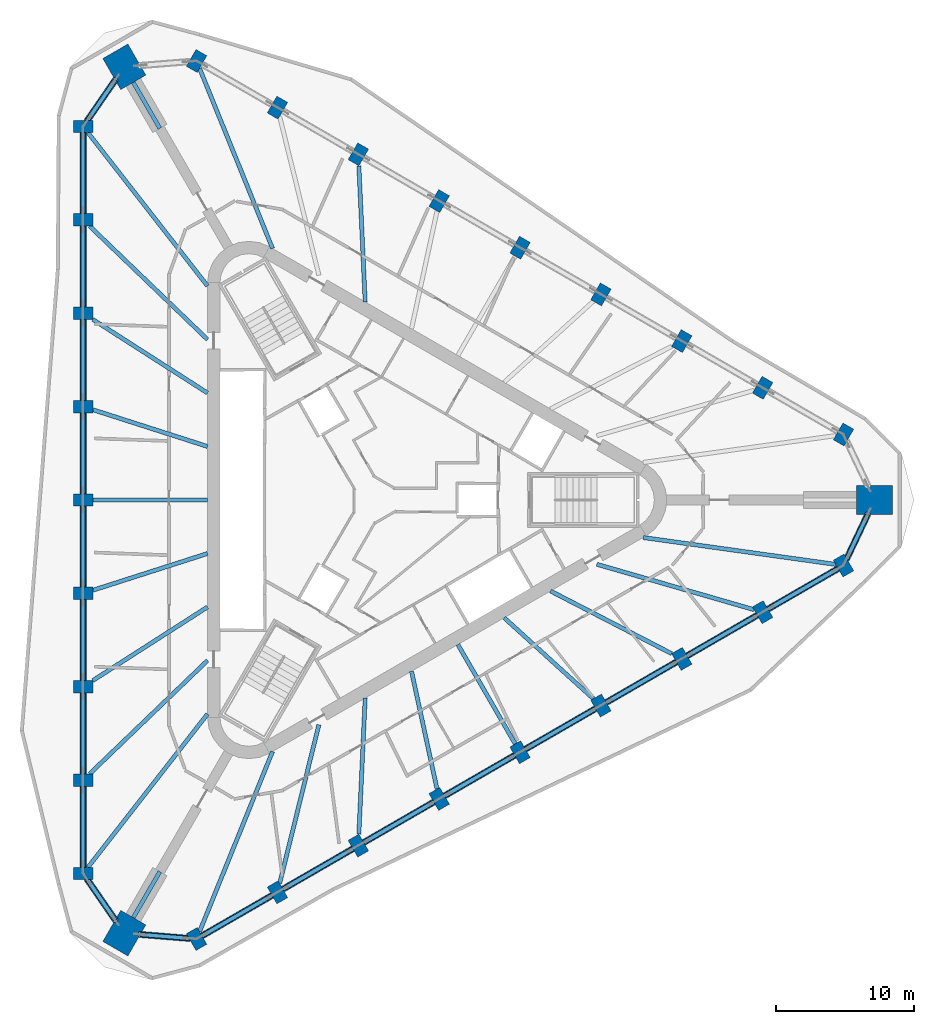
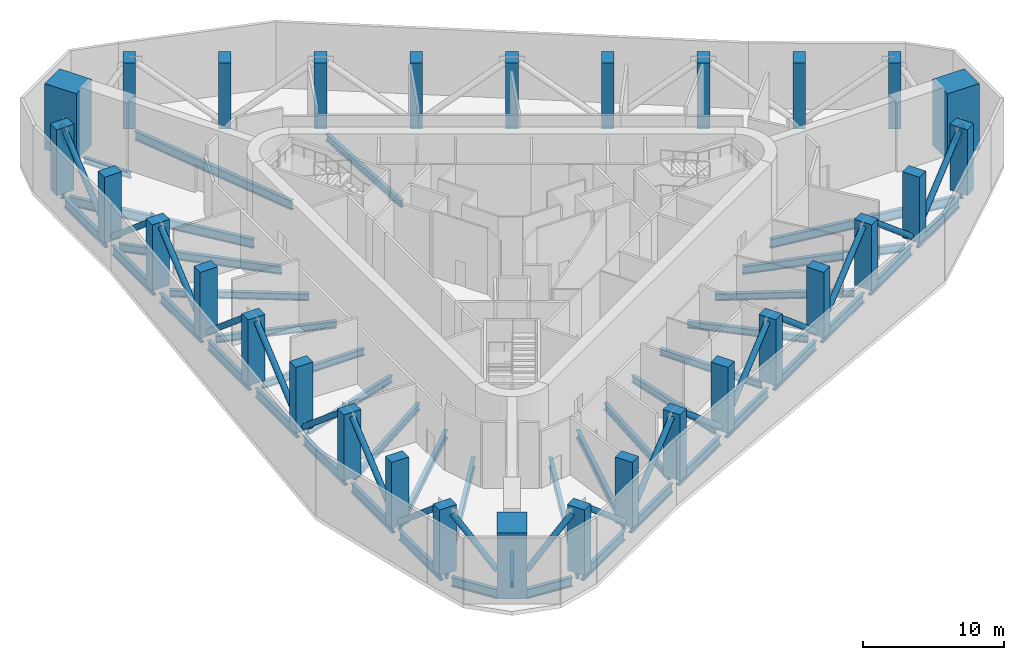
# One storey, part 1 of 12: 42 beams, 30 columns, 20 members.
"""IFC4 building model written with IfcOpenShell, lengths in metres."""

from ifc_helpers import new_model, si_unit, direction, frame, origin, origin_2d, place, context, subcontext, project, spatial, rectangle, hollow_circle, i_section, extrude, material, material_profile, profile_set, type_object, element, save


model = new_model("IFC4")

# Units and contexts
model_context = context("Model", 3, precision=1e-05, world=origin(), true_north=direction((0.0, 1.0)))
body_context = subcontext(model_context, "Body", "Model", "MODEL_VIEW")
ifc_project = project(units=[si_unit("LENGTHUNIT", "METRE"), si_unit("AREAUNIT", "SQUARE_METRE"), si_unit("VOLUMEUNIT", "CUBIC_METRE"), si_unit("PLANEANGLEUNIT", "RADIAN"), si_unit("MASSUNIT", "GRAM", prefix="KILO")], contexts=[model_context])

# Site, building, storey
site_placement = place(None, origin())
site = spatial("IfcSite", under=ifc_project, at=site_placement, CompositionType="ELEMENT")
building_placement = place(site_placement, origin())
building = spatial("IfcBuilding", under=site, at=building_placement, Name="Tanit Gate Tower", CompositionType="ELEMENT")
storey_placement = place(building_placement, frame((0.0, 0.0, 292.699951171875)))
storey = spatial("IfcBuildingStorey", under=building, at=storey_placement, Name="L65", CompositionType="ELEMENT", Elevation=292.699951171875)

# Columns
ifc_material_1 = material(Name="Concrete C60/75", Category="concrete")
ifc_material_profile_1 = material_profile(ifc_material_1, rectangle(XDim=2.60009765625, YDim=2.10009765625, at=origin_2d()), Name="RC 2600x2100")
ifc_profile_set_1 = profile_set([ifc_material_profile_1], Name="Concrete C60/75")
column_type_1 = type_object("IfcColumnType", Name="MEGA COLUMN 2600x2100 C60/75", PredefinedType="COLUMN", material=ifc_profile_set_1)
for number, where, z_axis, x_axis, name in (
    (1, (36.270263671875, 0.0, 0.0), (0.0, 0.0, 1.0), (1.0, 0.0, 0.0), "MEGA COLUMN"),
    (2, (-18.135009765625, 31.410888671875, 0.0), (0.0, 0.0, 1.0), (-0.5, 0.866025403784, 0.0), "MEGA COLUMN"),
    (3, (-18.135009765625, -31.410888671875, 0.0), (0.0, 0.0, 1.0), (-0.5, -0.866025403784, 0.0), "MEGA COLUMN"),
):
    element("IfcColumn", number, at=place(storey_placement, frame(where, z_axis=z_axis, x_axis=x_axis)), inside=storey, type_object=column_type_1, Name=name, PredefinedType="COLUMN", context=body_context, shape_type="SweptSolid", body=[
        extrude(rectangle(XDim=2.60009765625, YDim=2.10009765625, at=origin_2d()), origin(), (0.0, 0.0, 1.0), 5.699951171875),
    ])
ifc_material_2 = material(Name="Concrete C50/60", Category="concrete")
ifc_material_profile_2 = material_profile(ifc_material_2, rectangle(XDim=1.39990234375, YDim=0.89990234375, at=origin_2d()), Name="RC 1400x900")
ifc_profile_set_2 = profile_set([ifc_material_profile_2], Name="Concrete C50/60")
column_type_2 = type_object("IfcColumnType", Name="PERIMETER COLUMN 1400x900 C50/60", PredefinedType="COLUMN", material=ifc_profile_set_2)
for number, where, z_axis, x_axis, name in (
    (4, (-21.121337890625, 27.083984375, 0.0), (0.0, 0.0, 1.0), (-1.0, 0.0, 0.0), "PERIMETER COLUMN"),
    (5, (-21.121337890625, 20.31298828125, 0.0), (0.0, 0.0, 1.0), (-1.0, 0.0, 0.0), "PERIMETER COLUMN"),
    (6, (-21.121337890625, 13.5419921875, 0.0), (0.0, 0.0, 1.0), (-1.0, 0.0, 0.0), "PERIMETER COLUMN"),
    (7, (-21.121337890625, 6.77099609375, 0.0), (0.0, 0.0, 1.0), (-1.0, 0.0, 0.0), "PERIMETER COLUMN"),
    (8, (-21.121337890625, 0.0, 0.0), (0.0, 0.0, 1.0), (-1.0, 0.0, 0.0), "PERIMETER COLUMN"),
    (9, (-21.121337890625, -6.77099609375, 0.0), (0.0, 0.0, 1.0), (-1.0, 0.0, 0.0), "PERIMETER COLUMN"),
    (10, (-21.121337890625, -13.5419921875, 0.0), (0.0, 0.0, 1.0), (-1.0, 0.0, 0.0), "PERIMETER COLUMN"),
    (11, (-21.121337890625, -20.31298828125, 0.0), (0.0, 0.0, 1.0), (-1.0, 0.0, 0.0), "PERIMETER COLUMN"),
    (12, (-21.121337890625, -27.083984375, 0.0), (0.0, 0.0, 1.0), (-1.0, 0.0, 0.0), "PERIMETER COLUMN"),
    (13, (34.01611328125, 4.749755859375, 0.0), (0.0, 0.0, 1.0), (0.5, 0.866025403784, 0.0), "PERIMETER COLUMN"),
    (14, (28.152099609375, 8.13525390625, 0.0), (0.0, 0.0, 1.0), (0.5, 0.866025403784, 0.0), "PERIMETER COLUMN"),
    (15, (22.288330078125, 11.520751953125, 0.0), (0.0, 0.0, 1.0), (0.5, 0.866025403784, 0.0), "PERIMETER COLUMN"),
    (16, (16.424560546875, 14.90625, 0.0), (0.0, 0.0, 1.0), (0.5, 0.866025403784, 0.0), "PERIMETER COLUMN"),
    (17, (10.560791015625, 18.291748046875, 0.0), (0.0, 0.0, 1.0), (0.5, 0.866025403784, 0.0), "PERIMETER COLUMN"),
    (18, (4.697021484375, 21.67724609375, 0.0), (0.0, 0.0, 1.0), (0.5, 0.866025403784, 0.0), "PERIMETER COLUMN"),
    (19, (-1.1669921875, 25.062744140625, 0.0), (0.0, 0.0, 1.0), (0.5, 0.866025403784, 0.0), "PERIMETER COLUMN"),
    (20, (-7.03076171875, 28.4482421875, 0.0), (0.0, 0.0, 1.0), (0.5, 0.866025403784, 0.0), "PERIMETER COLUMN"),
    (21, (-12.894775390625, 31.83349609375, 0.0), (0.0, 0.0, 1.0), (0.5, 0.866025403784, 0.0), "PERIMETER COLUMN"),
    (22, (-12.894775390625, -31.83349609375, 0.0), (0.0, 0.0, 1.0), (0.5, -0.866025403784, 0.0), "PERIMETER COLUMN"),
    (23, (-7.03076171875, -28.4482421875, 0.0), (0.0, 0.0, 1.0), (0.5, -0.866025403784, 0.0), "PERIMETER COLUMN"),
    (24, (-1.1669921875, -25.062744140625, 0.0), (0.0, 0.0, 1.0), (0.5, -0.866025403784, 0.0), "PERIMETER COLUMN"),
    (25, (4.697021484375, -21.67724609375, 0.0), (0.0, 0.0, 1.0), (0.5, -0.866025403784, 0.0), "PERIMETER COLUMN"),
    (26, (10.560791015625, -18.291748046875, 0.0), (0.0, 0.0, 1.0), (0.5, -0.866025403784, 0.0), "PERIMETER COLUMN"),
    (27, (16.424560546875, -14.90625, 0.0), (0.0, 0.0, 1.0), (0.5, -0.866025403784, 0.0), "PERIMETER COLUMN"),
    (28, (22.288330078125, -11.520751953125, 0.0), (0.0, 0.0, 1.0), (0.5, -0.866025403784, 0.0), "PERIMETER COLUMN"),
    (29, (28.152099609375, -8.13525390625, 0.0), (0.0, 0.0, 1.0), (0.5, -0.866025403784, 0.0), "PERIMETER COLUMN"),
    (30, (34.01611328125, -4.749755859375, 0.0), (0.0, 0.0, 1.0), (0.5, -0.866025403784, 0.0), "PERIMETER COLUMN"),
):
    element("IfcColumn", number, at=place(storey_placement, frame(where, z_axis=z_axis, x_axis=x_axis)), inside=storey, type_object=column_type_2, Name=name, PredefinedType="COLUMN", context=body_context, shape_type="SweptSolid", body=[
        extrude(rectangle(XDim=1.39990234375, YDim=0.89990234375, at=origin_2d()), origin(), (0.0, 0.0, 1.0), 5.699951171875),
    ])

# Beams
ifc_material_3 = material(Name="Steel S460", Category="steel")
ifc_material_profile_3 = material_profile(ifc_material_3, i_section(OverallWidth=0.302978515625, OverallDepth=0.81396484375, WebThickness=0.02099609375, FlangeThickness=0.0400390625, FilletRadius=0.030029296875, at=origin_2d()), Name="HEM 800")
ifc_profile_set_3 = profile_set([ifc_material_profile_3], Name="Steel S460")
beam_type_1 = type_object("IfcBeamType", Name="BELT TRUSS CHORD HEM 800 S460", PredefinedType="BEAM", material=ifc_profile_set_3)
beam_1_placement = place(storey_placement, frame((-21.121337890625, -7.220947265625, -0.7568359375), z_axis=(0.0, -1.0, 0.0), x_axis=(1.0, 0.0, 0.0)))
element("IfcBeam", 31, at=beam_1_placement, inside=storey, type_object=beam_type_1, Name="BELT TRUSS CHORD", PredefinedType="BEAM", context=body_context, shape_type="SweptSolid", body=[
    extrude(i_section(OverallWidth=0.302978515625, OverallDepth=0.81396484375, WebThickness=0.02099609375, FlangeThickness=0.0400390625, FilletRadius=0.030029296875, at=origin_2d()), origin(), (0.0, 0.0, 1.0), 5.87109375),
])
for number, where, z_axis, x_axis, name in (
    (32, (-21.121337890625, -13.991943359375, -0.7568359375), (0.0, -1.0, 0.0), (1.0, 0.0, 0.0), "BELT TRUSS CHORD"),
    (33, (-21.121337890625, -20.762939453125, -0.7568359375), (0.0, -1.0, 0.0), (1.0, 0.0, 0.0), "BELT TRUSS CHORD"),
):
    element("IfcBeam", number, at=place(storey_placement, frame(where, z_axis=z_axis, x_axis=x_axis)), inside=storey, type_object=beam_type_1, Name=name, PredefinedType="BEAM", context=body_context, shape_type="SweptSolid", body=[
        extrude(i_section(OverallWidth=0.302978515625, OverallDepth=0.81396484375, WebThickness=0.02099609375, FlangeThickness=0.0400390625, FilletRadius=0.030029296875, at=origin_2d()), origin(), (0.0, 0.0, 1.0), 5.870849609375),
    ])
for number, where, z_axis, x_axis, name in (
    (34, (-20.810791015625, -27.533935546875, -0.7568359375), (0.567982145558, -0.823040875247, 0.0), (0.823040875247, 0.567982145558, 0.0), "BELT TRUSS CHORD"),
    (35, (-16.9765625, -31.50439453125, -0.7568359375), (0.996765644219, -0.080363241006, 0.0), (0.080363241006, 0.996765644219, 0.0), "BELT TRUSS CHORD"),
):
    element("IfcBeam", number, at=place(storey_placement, frame(where, z_axis=z_axis, x_axis=x_axis)), inside=storey, type_object=beam_type_1, Name=name, PredefinedType="BEAM", context=body_context, shape_type="SweptSolid", body=[
        extrude(i_section(OverallWidth=0.302978515625, OverallDepth=0.81396484375, WebThickness=0.02099609375, FlangeThickness=0.0400390625, FilletRadius=0.030029296875, at=origin_2d()), origin(), (0.0, 0.0, 1.0), 3.54833984375),
    ])
for number, where, z_axis, x_axis, name in (
    (36, (-12.5048828125, -31.608642578125, -0.7568359375), (0.866023543838, 0.500003221507, 0.0), (-0.500003221507, 0.866023543838, 0.0), "BELT TRUSS CHORD"),
    (37, (-6.64111328125, -28.22314453125, -0.7568359375), (0.866023543838, 0.500003221507, 0.0), (-0.500003221507, 0.866023543838, 0.0), "BELT TRUSS CHORD"),
    (38, (-0.77734375, -24.837646484375, -0.7568359375), (0.866023543838, 0.500003221507, 0.0), (-0.500003221507, 0.866023543838, 0.0), "BELT TRUSS CHORD"),
):
    element("IfcBeam", number, at=place(storey_placement, frame(where, z_axis=z_axis, x_axis=x_axis)), inside=storey, type_object=beam_type_1, Name=name, PredefinedType="BEAM", context=body_context, shape_type="SweptSolid", body=[
        extrude(i_section(OverallWidth=0.302978515625, OverallDepth=0.81396484375, WebThickness=0.02099609375, FlangeThickness=0.0400390625, FilletRadius=0.030029296875, at=origin_2d()), origin(), (0.0, 0.0, 1.0), 5.87109375),
    ])
beam_2_placement = place(storey_placement, frame((5.086669921875, -21.4521484375, -0.7568359375), z_axis=(0.866013147201, 0.500021228425, 0.0), x_axis=(-0.500021228425, 0.866013147201, 0.0)))
element("IfcBeam", 39, at=beam_2_placement, inside=storey, type_object=beam_type_1, Name="BELT TRUSS CHORD", PredefinedType="BEAM", context=body_context, shape_type="SweptSolid", body=[
    extrude(i_section(OverallWidth=0.302978515625, OverallDepth=0.81396484375, WebThickness=0.02099609375, FlangeThickness=0.0400390625, FilletRadius=0.030029296875, at=origin_2d()), origin(), (0.0, 0.0, 1.0), 5.870849609375),
])
for number, where, z_axis, x_axis, name in (
    (40, (10.950439453125, -18.066650390625, -0.7568359375), (0.866023543838, 0.500003221507, 0.0), (-0.500003221507, 0.866023543838, 0.0), "BELT TRUSS CHORD"),
    (41, (16.814208984375, -14.68115234375, -0.7568359375), (0.866023543838, 0.500003221507, 0.0), (-0.500003221507, 0.866023543838, 0.0), "BELT TRUSS CHORD"),
    (42, (22.677978515625, -11.295654296875, -0.7568359375), (0.866023543838, 0.500003221507, 0.0), (-0.500003221507, 0.866023543838, 0.0), "BELT TRUSS CHORD"),
    (43, (28.5419921875, -7.91015625, -0.7568359375), (0.866023543838, 0.500003221507, 0.0), (-0.500003221507, 0.866023543838, 0.0), "BELT TRUSS CHORD"),
):
    element("IfcBeam", number, at=place(storey_placement, frame(where, z_axis=z_axis, x_axis=x_axis)), inside=storey, type_object=beam_type_1, Name=name, PredefinedType="BEAM", context=body_context, shape_type="SweptSolid", body=[
        extrude(i_section(OverallWidth=0.302978515625, OverallDepth=0.81396484375, WebThickness=0.02099609375, FlangeThickness=0.0400390625, FilletRadius=0.030029296875, at=origin_2d()), origin(), (0.0, 0.0, 1.0), 5.87109375),
    ])
for number, where, z_axis, x_axis, name in (
    (44, (34.25048828125, -4.255615234375, -0.7568359375), (0.428790138655, 0.903404127172, 0.0), (-0.903404127172, 0.428790138655, 0.0), "BELT TRUSS CHORD"),
    (45, (-18.79541015625, 30.454345703125, -0.7568359375), (-0.567982145558, -0.823040875247, 0.0), (0.823040875247, -0.567982145558, 0.0), "BELT TRUSS CHORD"),
):
    element("IfcBeam", number, at=place(storey_placement, frame(where, z_axis=z_axis, x_axis=x_axis)), inside=storey, type_object=beam_type_1, Name=name, PredefinedType="BEAM", context=body_context, shape_type="SweptSolid", body=[
        extrude(i_section(OverallWidth=0.302978515625, OverallDepth=0.81396484375, WebThickness=0.02099609375, FlangeThickness=0.0400390625, FilletRadius=0.030029296875, at=origin_2d()), origin(), (0.0, 0.0, 1.0), 3.54833984375),
    ])
for number, where, z_axis, x_axis, name in (
    (46, (-21.121337890625, 26.6337890625, -0.7568359375), (0.0, -1.0, 0.0), (1.0, 0.0, 0.0), "BELT TRUSS CHORD"),
    (47, (-21.121337890625, 19.86279296875, -0.7568359375), (0.0, -1.0, 0.0), (1.0, 0.0, 0.0), "BELT TRUSS CHORD"),
):
    element("IfcBeam", number, at=place(storey_placement, frame(where, z_axis=z_axis, x_axis=x_axis)), inside=storey, type_object=beam_type_1, Name=name, PredefinedType="BEAM", context=body_context, shape_type="SweptSolid", body=[
        extrude(i_section(OverallWidth=0.302978515625, OverallDepth=0.81396484375, WebThickness=0.02099609375, FlangeThickness=0.0400390625, FilletRadius=0.030029296875, at=origin_2d()), origin(), (0.0, 0.0, 1.0), 5.870849609375),
    ])
for number, where, z_axis, x_axis, name in (
    (48, (-21.121337890625, 13.092041015625, -0.7568359375), (0.0, -1.0, 0.0), (1.0, 0.0, 0.0), "BELT TRUSS CHORD"),
    (49, (-21.121337890625, 6.321044921875, -0.7568359375), (0.0, -1.0, 0.0), (1.0, 0.0, 0.0), "BELT TRUSS CHORD"),
    (50, (-21.121337890625, -0.449951171875, -0.7568359375), (0.0, -1.0, 0.0), (1.0, 0.0, 0.0), "BELT TRUSS CHORD"),
):
    element("IfcBeam", number, at=place(storey_placement, frame(where, z_axis=z_axis, x_axis=x_axis)), inside=storey, type_object=beam_type_1, Name=name, PredefinedType="BEAM", context=body_context, shape_type="SweptSolid", body=[
        extrude(i_section(OverallWidth=0.302978515625, OverallDepth=0.81396484375, WebThickness=0.02099609375, FlangeThickness=0.0400390625, FilletRadius=0.030029296875, at=origin_2d()), origin(), (0.0, 0.0, 1.0), 5.87109375),
    ])

# Members
ifc_material_4 = material(Name="Steel S460", Category="steel")
ifc_material_profile_4 = material_profile(ifc_material_4, hollow_circle(Radius=0.228515625, WallThickness=0.02001953125, at=origin_2d()), Name="CHS 457x20")
ifc_profile_set_4 = profile_set([ifc_material_profile_4], Name="Steel S460")
member_type = type_object("IfcMemberType", Name="BELT TRUSS DIAGONAL CHS 457x20 S460", PredefinedType="BRACE", material=ifc_profile_set_4)
for number, where, z_axis, x_axis, name in (
    (51, (-21.121337890625, -7.220947265625, 0.37890625), (0.0, -0.765020080853, 0.644006425349), (1.0, 0.0, 0.0), "BELT TRUSS DIAGONAL"),
    (52, (-21.121337890625, -13.991943359375, 5.3212890625), (0.0, -0.765006886439, -0.644022098768), (1.0, 0.0, 0.0), "BELT TRUSS DIAGONAL"),
    (53, (-21.121337890625, -20.762939453125, 0.37890625), (0.0, -0.765006886439, 0.644022098768), (1.0, 0.0, 0.0), "BELT TRUSS DIAGONAL"),
):
    element("IfcMember", number, at=place(storey_placement, frame(where, z_axis=z_axis, x_axis=x_axis)), inside=storey, type_object=member_type, Name=name, PredefinedType="BRACE", context=body_context, shape_type="SweptSolid", body=[
        extrude(hollow_circle(Radius=0.228515625, WallThickness=0.02001953125, at=origin_2d()), origin(), (0.0, 0.0, 1.0), 7.67431640625),
    ])
member_1_placement = place(storey_placement, frame((-20.810791015625, -27.533935546875, 5.107177734375), z_axis=(0.385119894814, -0.557994692558, -0.73506774497), x_axis=(0.823008710915, 0.56802875082, 0.0)))
element("IfcMember", 54, at=member_1_placement, inside=storey, type_object=member_type, Name="BELT TRUSS DIAGONAL", PredefinedType="BRACE", context=body_context, shape_type="SweptSolid", body=[
    extrude(hollow_circle(Radius=0.228515625, WallThickness=0.02001953125, at=origin_2d()), origin(), (0.0, 0.0, 1.0), 5.233642578125),
])
member_2_placement = place(storey_placement, frame((-16.9765625, -31.50439453125, 1.26025390625), z_axis=(0.675812222707, -0.054486689868, 0.735057168026), x_axis=(0.080363241006, 0.996765644219, 0.0)))
element("IfcMember", 55, at=member_2_placement, inside=storey, type_object=member_type, Name="BELT TRUSS DIAGONAL", PredefinedType="BRACE", context=body_context, shape_type="SweptSolid", body=[
    extrude(hollow_circle(Radius=0.228515625, WallThickness=0.02001953125, at=origin_2d()), origin(), (0.0, 0.0, 1.0), 5.2333984375),
])
for number, where, z_axis, x_axis, name in (
    (56, (-12.5048828125, -31.608642578125, 5.3212890625), (0.662523631127, 0.382511482794, -0.644008853766), (-0.500003221507, 0.866023543838, 0.0), "BELT TRUSS DIAGONAL"),
    (57, (-6.64111328125, -28.22314453125, 0.37890625), (0.662523631127, 0.382511482794, 0.644008853766), (-0.500003221507, 0.866023543838, 0.0), "BELT TRUSS DIAGONAL"),
    (58, (-0.77734375, -24.837646484375, 5.3212890625), (0.662523631127, 0.382511482794, -0.644008853766), (-0.500003221507, 0.866023543838, 0.0), "BELT TRUSS DIAGONAL"),
    (59, (5.086669921875, -21.4521484375, 0.37890625), (0.662505781858, 0.382519544829, 0.644022427272), (-0.500021228425, 0.866013147201, 0.0), "BELT TRUSS DIAGONAL"),
    (60, (10.950439453125, -18.066650390625, 5.3212890625), (0.662523631127, 0.382511482794, -0.644008853766), (-0.500003221507, 0.866023543838, 0.0), "BELT TRUSS DIAGONAL"),
    (61, (16.814208984375, -14.68115234375, 0.37890625), (0.662523631127, 0.382511482794, 0.644008853766), (-0.500003221507, 0.866023543838, 0.0), "BELT TRUSS DIAGONAL"),
    (62, (22.67822265625, -11.295654296875, 5.3212890625), (0.662505781858, 0.382519544829, -0.644022427272), (-0.500021228425, 0.866013147201, 0.0), "BELT TRUSS DIAGONAL"),
    (63, (28.5419921875, -7.91015625, 0.37890625), (0.662523631127, 0.382511482794, 0.644008853766), (-0.500003221507, 0.866023543838, 0.0), "BELT TRUSS DIAGONAL"),
):
    element("IfcMember", number, at=place(storey_placement, frame(where, z_axis=z_axis, x_axis=x_axis)), inside=storey, type_object=member_type, Name=name, PredefinedType="BRACE", context=body_context, shape_type="SweptSolid", body=[
        extrude(hollow_circle(Radius=0.228515625, WallThickness=0.02001953125, at=origin_2d()), origin(), (0.0, 0.0, 1.0), 7.67431640625),
    ])
for number, where, z_axis, x_axis, name in (
    (64, (34.25048828125, -4.255615234375, 5.107177734375), (0.290710953711, 0.612489541436, -0.735080745921), (-0.903404127172, 0.428790138655, 0.0), "BELT TRUSS DIAGONAL"),
    (65, (-18.795166015625, 30.454345703125, 1.260009765625), (-0.385119894814, -0.557994692558, 0.73506774497), (0.823008710915, -0.56802875082, 0.0), "BELT TRUSS DIAGONAL"),
):
    element("IfcMember", number, at=place(storey_placement, frame(where, z_axis=z_axis, x_axis=x_axis)), inside=storey, type_object=member_type, Name=name, PredefinedType="BRACE", context=body_context, shape_type="SweptSolid", body=[
        extrude(hollow_circle(Radius=0.228515625, WallThickness=0.02001953125, at=origin_2d()), origin(), (0.0, 0.0, 1.0), 5.233642578125),
    ])
for number, where, z_axis, x_axis, name in (
    (66, (-21.121337890625, 26.6337890625, 5.3212890625), (0.0, -0.765006886439, -0.644022098768), (1.0, 0.0, 0.0), "BELT TRUSS DIAGONAL"),
    (67, (-21.121337890625, 19.86279296875, 0.37890625), (0.0, -0.765006886439, 0.644022098768), (1.0, 0.0, 0.0), "BELT TRUSS DIAGONAL"),
    (68, (-21.121337890625, 13.092041015625, 5.3212890625), (0.0, -0.765020080853, -0.644006425349), (1.0, 0.0, 0.0), "BELT TRUSS DIAGONAL"),
    (69, (-21.121337890625, 6.321044921875, 0.37890625), (0.0, -0.765020080853, 0.644006425349), (1.0, 0.0, 0.0), "BELT TRUSS DIAGONAL"),
    (70, (-21.121337890625, -0.449951171875, 5.3212890625), (0.0, -0.765020080853, -0.644006425349), (1.0, 0.0, 0.0), "BELT TRUSS DIAGONAL"),
):
    element("IfcMember", number, at=place(storey_placement, frame(where, z_axis=z_axis, x_axis=x_axis)), inside=storey, type_object=member_type, Name=name, PredefinedType="BRACE", context=body_context, shape_type="SweptSolid", body=[
        extrude(hollow_circle(Radius=0.228515625, WallThickness=0.02001953125, at=origin_2d()), origin(), (0.0, 0.0, 1.0), 7.67431640625),
    ])

# Beams
ifc_material_5 = material(Name="Steel S355", Category="steel")
ifc_material_profile_5 = material_profile(ifc_material_5, i_section(OverallWidth=0.300048828125, OverallDepth=0.489990234375, WebThickness=0.011962890625, FlangeThickness=0.02294921875, FilletRadius=0.027099609375, at=origin_2d()), Name="HEA 500")
ifc_profile_set_5 = profile_set([ifc_material_profile_5], Name="Steel S355")
beam_type_2 = type_object("IfcBeamType", Name="RADIAL GIRDER HEA 500 S355", PredefinedType="BEAM", material=ifc_profile_set_5)
for number, where, z_axis, x_axis, name in (
    (71, (-17.485107421875, -30.28515625, -0.594970703125), (0.499980071345, 0.866036909293, 0.0), (-0.866036909293, 0.499980071345, 0.0), "RADIAL GIRDER"),
    (72, (-17.485107421875, 30.28515625, -0.594970703125), (0.499980071345, -0.866036909293, 0.0), (0.866036909293, 0.499980071345, 0.0), "RADIAL GIRDER"),
):
    element("IfcBeam", number, at=place(storey_placement, frame(where, z_axis=z_axis, x_axis=x_axis)), inside=storey, type_object=beam_type_2, Name=name, PredefinedType="BEAM", context=body_context, shape_type="SweptSolid", body=[
        extrude(i_section(OverallWidth=0.300048828125, OverallDepth=0.489990234375, WebThickness=0.011962890625, FlangeThickness=0.02294921875, FilletRadius=0.027099609375, at=origin_2d()), origin(), (0.0, 0.0, 1.0), 3.855712890625),
    ])
ifc_material_6 = material(Name="Steel S355", Category="steel")
ifc_material_profile_6 = material_profile(ifc_material_6, i_section(OverallWidth=0.300048828125, OverallDepth=0.68994140625, WebThickness=0.014404296875, FlangeThickness=0.027099609375, FilletRadius=0.027099609375, at=origin_2d()), Name="HEA 700")
ifc_profile_set_6 = profile_set([ifc_material_profile_6], Name="Steel S355")
beam_type_3 = type_object("IfcBeamType", Name="RADIAL GIRDER HEA 700 S355", PredefinedType="BEAM", material=ifc_profile_set_6)
beam_3_placement = place(storey_placement, frame((-20.653564453125, -19.86279296875, -0.695068359375), z_axis=(0.720779680612, 0.693164231634, 0.0), x_axis=(-0.693164231634, 0.720779680612, 0.0)))
element("IfcBeam", 73, at=beam_3_placement, inside=storey, type_object=beam_type_3, Name="RADIAL GIRDER", PredefinedType="BEAM", context=body_context, shape_type="SweptSolid", body=[
    extrude(i_section(OverallWidth=0.300048828125, OverallDepth=0.68994140625, WebThickness=0.014404296875, FlangeThickness=0.027099609375, FilletRadius=0.027099609375, at=origin_2d()), origin(), (0.0, 0.0, 1.0), 11.8642578125),
])
beam_4_placement = place(storey_placement, frame((-6.875, -27.818115234375, -0.695068359375), z_axis=(0.239929921854, 0.970790210395, 0.0), x_axis=(-0.970790210395, 0.239929921854, 0.0)))
element("IfcBeam", 74, at=beam_4_placement, inside=storey, type_object=beam_type_3, Name="RADIAL GIRDER", PredefinedType="BEAM", context=body_context, shape_type="SweptSolid", body=[
    extrude(i_section(OverallWidth=0.300048828125, OverallDepth=0.68994140625, WebThickness=0.014404296875, FlangeThickness=0.027099609375, FilletRadius=0.027099609375, at=origin_2d()), origin(), (0.0, 0.0, 1.0), 11.86474609375),
])
for number, where, z_axis, x_axis, name in (
    (75, (27.528564453125, -7.955078125, -0.695068359375), (-0.960692598628, 0.277614356511, 0.0), (-0.277614356511, -0.960692598628, 0.0), "RADIAL GIRDER"),
    (76, (-20.653564453125, 19.86279296875, -0.695068359375), (0.720779680612, -0.693164231634, 0.0), (0.693164231634, 0.720779680612, 0.0), "RADIAL GIRDER"),
):
    element("IfcBeam", number, at=place(storey_placement, frame(where, z_axis=z_axis, x_axis=x_axis)), inside=storey, type_object=beam_type_3, Name=name, PredefinedType="BEAM", context=body_context, shape_type="SweptSolid", body=[
        extrude(i_section(OverallWidth=0.300048828125, OverallDepth=0.68994140625, WebThickness=0.014404296875, FlangeThickness=0.027099609375, FilletRadius=0.027099609375, at=origin_2d()), origin(), (0.0, 0.0, 1.0), 11.8642578125),
    ])
ifc_material_7 = material(Name="Steel S355", Category="steel")
ifc_material_profile_7 = material_profile(ifc_material_7, i_section(OverallWidth=0.300048828125, OverallDepth=0.7900390625, WebThickness=0.014892578125, FlangeThickness=0.028076171875, FilletRadius=0.030029296875, at=origin_2d()), Name="HEA 800")
ifc_profile_set_7 = profile_set([ifc_material_profile_7], Name="Steel S355")
beam_type_4 = type_object("IfcBeamType", Name="RADIAL GIRDER HEA 800 S355", PredefinedType="BEAM", material=ifc_profile_set_7)
beam_5_placement = place(storey_placement, frame((-20.7705078125, -26.6337890625, -0.744873046875), z_axis=(0.614960509334, 0.788557906536, 0.0), x_axis=(-0.788557906536, 0.614960509334, 0.0)))
element("IfcBeam", 77, at=beam_5_placement, inside=storey, type_object=beam_type_4, Name="RADIAL GIRDER", PredefinedType="BEAM", context=body_context, shape_type="SweptSolid", body=[
    extrude(i_section(OverallWidth=0.300048828125, OverallDepth=0.7900390625, WebThickness=0.014892578125, FlangeThickness=0.028076171875, FilletRadius=0.030029296875, at=origin_2d()), origin(), (0.0, 0.0, 1.0), 14.095947265625),
])
beam_6_placement = place(storey_placement, frame((-12.680419921875, -31.3046875, -0.744873046875), z_axis=(0.375439354179, 0.926846962197, 0.0), x_axis=(-0.926846962197, 0.375439354179, 0.0)))
element("IfcBeam", 78, at=beam_6_placement, inside=storey, type_object=beam_type_4, Name="RADIAL GIRDER", PredefinedType="BEAM", context=body_context, shape_type="SweptSolid", body=[
    extrude(i_section(OverallWidth=0.300048828125, OverallDepth=0.7900390625, WebThickness=0.014892578125, FlangeThickness=0.028076171875, FilletRadius=0.030029296875, at=origin_2d()), origin(), (0.0, 0.0, 1.0), 14.09619140625),
])
beam_7_placement = place(storey_placement, frame((33.450927734375, -4.6708984375, -0.744873046875), z_axis=(-0.990390390759, 0.138299941769, 0.0), x_axis=(-0.138299941769, -0.990390390759, 0.0)))
element("IfcBeam", 79, at=beam_7_placement, inside=storey, type_object=beam_type_4, Name="RADIAL GIRDER", PredefinedType="BEAM", context=body_context, shape_type="SweptSolid", body=[
    extrude(i_section(OverallWidth=0.300048828125, OverallDepth=0.7900390625, WebThickness=0.014892578125, FlangeThickness=0.028076171875, FilletRadius=0.030029296875, at=origin_2d()), origin(), (0.0, 0.0, 1.0), 14.095947265625),
])
beam_8_placement = place(storey_placement, frame((-12.680419921875, 31.3046875, -0.744873046875), z_axis=(0.375439354179, -0.926846962197, 0.0), x_axis=(0.926846962197, 0.375439354179, 0.0)))
element("IfcBeam", 80, at=beam_8_placement, inside=storey, type_object=beam_type_4, Name="RADIAL GIRDER", PredefinedType="BEAM", context=body_context, shape_type="SweptSolid", body=[
    extrude(i_section(OverallWidth=0.300048828125, OverallDepth=0.7900390625, WebThickness=0.014892578125, FlangeThickness=0.028076171875, FilletRadius=0.030029296875, at=origin_2d()), origin(), (0.0, 0.0, 1.0), 14.09619140625),
])
beam_9_placement = place(storey_placement, frame((-20.7705078125, 26.6337890625, -0.744873046875), z_axis=(0.614960509334, -0.788557906536, 0.0), x_axis=(0.788557906536, 0.614960509334, 0.0)))
element("IfcBeam", 81, at=beam_9_placement, inside=storey, type_object=beam_type_4, Name="RADIAL GIRDER", PredefinedType="BEAM", context=body_context, shape_type="SweptSolid", body=[
    extrude(i_section(OverallWidth=0.300048828125, OverallDepth=0.7900390625, WebThickness=0.014892578125, FlangeThickness=0.028076171875, FilletRadius=0.030029296875, at=origin_2d()), origin(), (0.0, 0.0, 1.0), 14.095947265625),
])
ifc_material_8 = material(Name="Steel S355", Category="steel")
ifc_material_profile_8 = material_profile(ifc_material_8, i_section(OverallWidth=0.300048828125, OverallDepth=0.60009765625, WebThickness=0.015380859375, FlangeThickness=0.030029296875, FilletRadius=0.027099609375, at=origin_2d()), Name="HEB 600")
ifc_profile_set_8 = profile_set([ifc_material_profile_8], Name="Steel S355")
beam_type_5 = type_object("IfcBeamType", Name="RADIAL GIRDER HEB 600 S355", PredefinedType="BEAM", material=ifc_profile_set_8)
beam_10_placement = place(storey_placement, frame((-20.42138671875, -6.546630859375, -0.64990234375), z_axis=(0.952264375412, 0.305274563828, 0.0), x_axis=(-0.305274563828, 0.952264375412, 0.0)))
element("IfcBeam", 82, at=beam_10_placement, inside=storey, type_object=beam_type_5, Name="RADIAL GIRDER", PredefinedType="BEAM", context=body_context, shape_type="SweptSolid", body=[
    extrude(i_section(OverallWidth=0.300048828125, OverallDepth=0.60009765625, WebThickness=0.015380859375, FlangeThickness=0.030029296875, FilletRadius=0.027099609375, at=origin_2d()), origin(), (0.0, 0.0, 1.0), 8.736328125),
])
beam_11_placement = place(storey_placement, frame((-20.42138671875, -13.09326171875, -0.64990234375), z_axis=(0.841829634381, 0.539743334075, 0.0), x_axis=(-0.539743334075, 0.841829634381, 0.0)))
element("IfcBeam", 83, at=beam_11_placement, inside=storey, type_object=beam_type_5, Name="RADIAL GIRDER", PredefinedType="BEAM", context=body_context, shape_type="SweptSolid", body=[
    extrude(i_section(OverallWidth=0.300048828125, OverallDepth=0.60009765625, WebThickness=0.015380859375, FlangeThickness=0.030029296875, FilletRadius=0.027099609375, at=origin_2d()), origin(), (0.0, 0.0, 1.0), 9.88232421875),
])
beam_12_placement = place(storey_placement, frame((-1.12841796875, -24.232177734375, -0.64990234375), z_axis=(0.046517005863, 0.998917498178, 0.0), x_axis=(-0.998917498178, 0.046517005863, 0.0)))
element("IfcBeam", 84, at=beam_12_placement, inside=storey, type_object=beam_type_5, Name="RADIAL GIRDER", PredefinedType="BEAM", context=body_context, shape_type="SweptSolid", body=[
    extrude(i_section(OverallWidth=0.300048828125, OverallDepth=0.60009765625, WebThickness=0.015380859375, FlangeThickness=0.030029296875, FilletRadius=0.027099609375, at=origin_2d()), origin(), (0.0, 0.0, 1.0), 9.8828125),
])
beam_13_placement = place(storey_placement, frame((4.541259765625, -20.958740234375, -0.64990234375), z_axis=(-0.211767137826, 0.977320151914, 0.0), x_axis=(-0.977320151914, -0.211767137826, 0.0)))
element("IfcBeam", 85, at=beam_13_placement, inside=storey, type_object=beam_type_5, Name="RADIAL GIRDER", PredefinedType="BEAM", context=body_context, shape_type="SweptSolid", body=[
    extrude(i_section(OverallWidth=0.300048828125, OverallDepth=0.60009765625, WebThickness=0.015380859375, FlangeThickness=0.030029296875, FilletRadius=0.027099609375, at=origin_2d()), origin(), (0.0, 0.0, 1.0), 8.736572265625),
])
beam_14_placement = place(storey_placement, frame((10.210693359375, -17.685546875, -0.64990234375), z_axis=(-0.499995954789, 0.866027739276, 0.0), x_axis=(-0.866027739276, -0.499995954789, 0.0)))
element("IfcBeam", 86, at=beam_14_placement, inside=storey, type_object=beam_type_5, Name="RADIAL GIRDER", PredefinedType="BEAM", context=body_context, shape_type="SweptSolid", body=[
    extrude(i_section(OverallWidth=0.300048828125, OverallDepth=0.60009765625, WebThickness=0.015380859375, FlangeThickness=0.030029296875, FilletRadius=0.027099609375, at=origin_2d()), origin(), (0.0, 0.0, 1.0), 8.3193359375),
])
beam_15_placement = place(storey_placement, frame((15.88037109375, -14.412109375, -0.64990234375), z_axis=(-0.740510084362, 0.672045247701, 0.0), x_axis=(-0.672045247701, -0.740510084362, 0.0)))
element("IfcBeam", 87, at=beam_15_placement, inside=storey, type_object=beam_type_5, Name="RADIAL GIRDER", PredefinedType="BEAM", context=body_context, shape_type="SweptSolid", body=[
    extrude(i_section(OverallWidth=0.300048828125, OverallDepth=0.60009765625, WebThickness=0.015380859375, FlangeThickness=0.030029296875, FilletRadius=0.027099609375, at=origin_2d()), origin(), (0.0, 0.0, 1.0), 8.736572265625),
])
beam_16_placement = place(storey_placement, frame((21.5498046875, -11.138916015625, -0.64990234375), z_axis=(-0.888343449029, 0.459179612534, 0.0), x_axis=(-0.459179612534, -0.888343449029, 0.0)))
element("IfcBeam", 88, at=beam_16_placement, inside=storey, type_object=beam_type_5, Name="RADIAL GIRDER", PredefinedType="BEAM", context=body_context, shape_type="SweptSolid", body=[
    extrude(i_section(OverallWidth=0.300048828125, OverallDepth=0.60009765625, WebThickness=0.015380859375, FlangeThickness=0.030029296875, FilletRadius=0.027099609375, at=origin_2d()), origin(), (0.0, 0.0, 1.0), 9.882568359375),
])
beam_17_placement = place(storey_placement, frame((-1.12841796875, 24.232177734375, -0.64990234375), z_axis=(0.046517005863, -0.998917498178, 0.0), x_axis=(0.998917498178, 0.046517005863, 0.0)))
element("IfcBeam", 89, at=beam_17_placement, inside=storey, type_object=beam_type_5, Name="RADIAL GIRDER", PredefinedType="BEAM", context=body_context, shape_type="SweptSolid", body=[
    extrude(i_section(OverallWidth=0.300048828125, OverallDepth=0.60009765625, WebThickness=0.015380859375, FlangeThickness=0.030029296875, FilletRadius=0.027099609375, at=origin_2d()), origin(), (0.0, 0.0, 1.0), 9.8828125),
])
beam_18_placement = place(storey_placement, frame((-20.42138671875, 13.09326171875, -0.64990234375), z_axis=(0.841829634381, -0.539743334075, 0.0), x_axis=(0.539743334075, 0.841829634381, 0.0)))
element("IfcBeam", 90, at=beam_18_placement, inside=storey, type_object=beam_type_5, Name="RADIAL GIRDER", PredefinedType="BEAM", context=body_context, shape_type="SweptSolid", body=[
    extrude(i_section(OverallWidth=0.300048828125, OverallDepth=0.60009765625, WebThickness=0.015380859375, FlangeThickness=0.030029296875, FilletRadius=0.027099609375, at=origin_2d()), origin(), (0.0, 0.0, 1.0), 9.88232421875),
])
beam_19_placement = place(storey_placement, frame((-20.42138671875, 6.546630859375, -0.64990234375), z_axis=(0.952264375412, -0.305274563828, 0.0), x_axis=(0.305274563828, 0.952264375412, 0.0)))
element("IfcBeam", 91, at=beam_19_placement, inside=storey, type_object=beam_type_5, Name="RADIAL GIRDER", PredefinedType="BEAM", context=body_context, shape_type="SweptSolid", body=[
    extrude(i_section(OverallWidth=0.300048828125, OverallDepth=0.60009765625, WebThickness=0.015380859375, FlangeThickness=0.030029296875, FilletRadius=0.027099609375, at=origin_2d()), origin(), (0.0, 0.0, 1.0), 8.736328125),
])
beam_20_placement = place(storey_placement, frame((-20.42138671875, 0.0, -0.64990234375), z_axis=(1.0, 0.0, 0.0), x_axis=(0.0, 1.0, 0.0)))
element("IfcBeam", 92, at=beam_20_placement, inside=storey, type_object=beam_type_5, Name="RADIAL GIRDER", PredefinedType="BEAM", context=body_context, shape_type="SweptSolid", body=[
    extrude(i_section(OverallWidth=0.300048828125, OverallDepth=0.60009765625, WebThickness=0.015380859375, FlangeThickness=0.030029296875, FilletRadius=0.027099609375, at=origin_2d()), origin(), (0.0, 0.0, 1.0), 8.3193359375),
])

save(model, "model.ifc")
